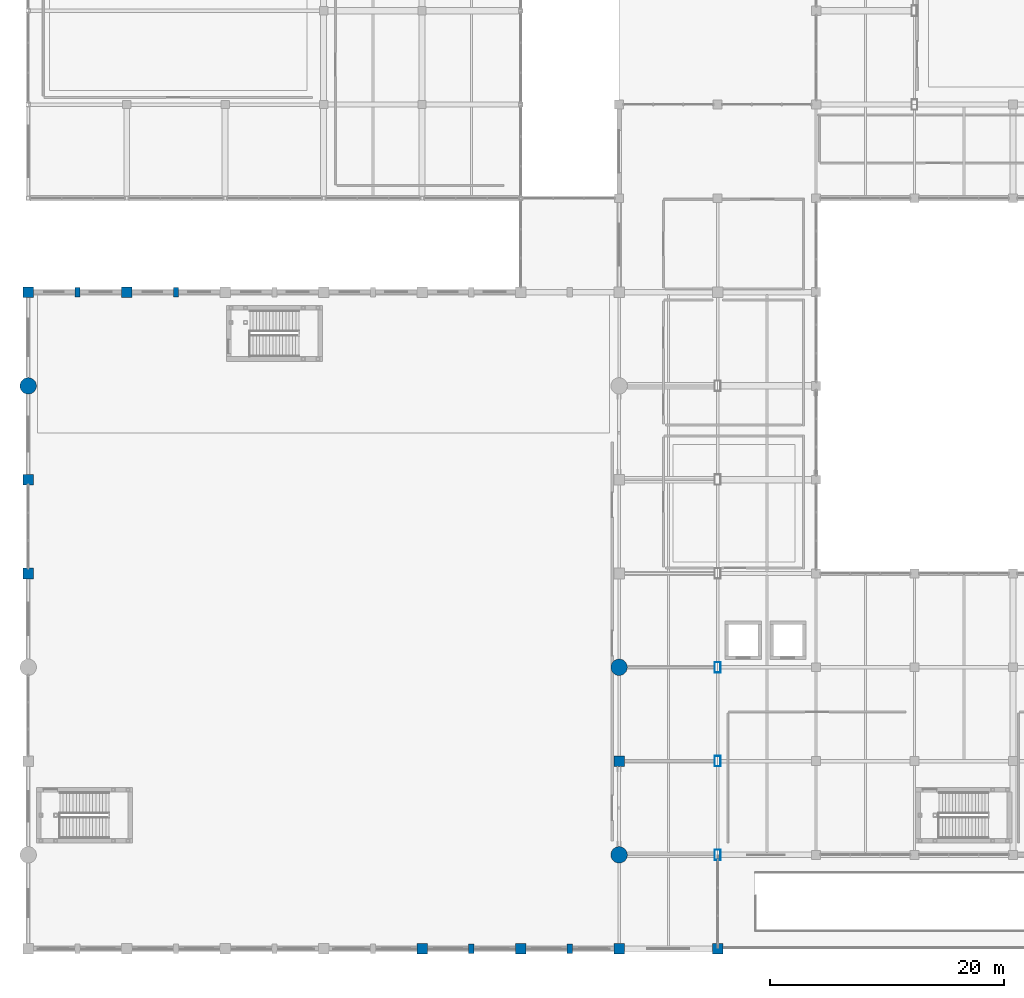
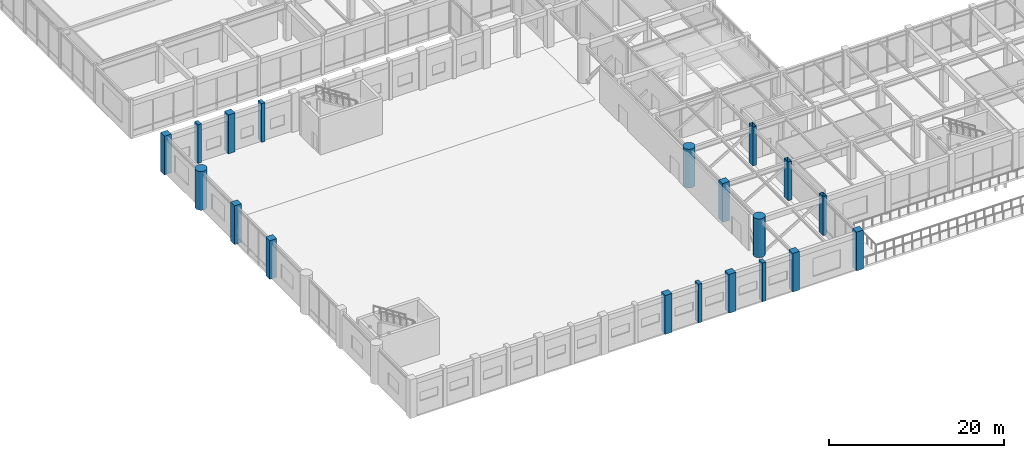
# One storey, part 2 of 79: 19 columns.
"""IFC4 building model written with IfcOpenShell, lengths in metres."""

import ifcopenshell
import ifcopenshell.guid

model = None  # the IFC model being written
_history = None  # IfcOwnerHistory: only IFC2X3 demands one
_inside = {}  # id of a spatial element -> (the spatial element, [elements in it])
_under = {}  # id of a project, library or spatial element -> (it, [spatial elements below it])
_declared = {}  # id of a project -> (the project, [libraries it declares])
_typed = {}  # id of a type object -> (the type object, [elements of that type])
_made_of = {}  # id of a material, layer set ... -> (it, [elements and type objects made of it])


def new_model(schema):
    """Start an empty IFC model of exactly this schema.

    Asked for "IFC4X3", IfcOpenShell would pick the latest addendum, in which some entities
    have other attributes; the version numbers below select the first issue.
    IFC2X3 requires an IfcOwnerHistory on every rooted entity: one is made here for all.
    """
    global model, _history
    if schema == "IFC4X3":
        model = ifcopenshell.file(schema_version=(4, 3, 0, 0))
    else:
        model = ifcopenshell.file(schema=schema)
    _inside.clear()
    _under.clear()
    _declared.clear()
    _typed.clear()
    _made_of.clear()
    _history = None
    if model.schema == "IFC2X3":
        org = make("IfcOrganization", Name="unknown")
        user = make(
            "IfcPersonAndOrganization",
            ThePerson=make("IfcPerson", FamilyName="unknown"),
            TheOrganization=org,
        )
        app = make(
            "IfcApplication",
            ApplicationDeveloper=org,
            Version="unknown",
            ApplicationFullName="unknown",
            ApplicationIdentifier="unknown",
        )
        _history = make(
            "IfcOwnerHistory",
            OwningUser=user,
            OwningApplication=app,
            ChangeAction="ADDED",
            CreationDate=0,
        )
    return model


def make(cls, **values):
    """One entity of the class cls with the attributes given. An attribute that is None is left unset."""
    return model.create_entity(
        cls, **{name: value for name, value in values.items() if value is not None}
    )


def rooted(cls, **values):
    """An entity with a GlobalId (a new one), such as an element, a storey or a relation."""
    return make(cls, GlobalId=ifcopenshell.guid.new(), OwnerHistory=_history, **values)


def si_unit(unit_type, name, prefix=None):
    """IfcSIUnit, for example si_unit("LENGTHUNIT", "METRE", prefix="MILLI")."""
    return make("IfcSIUnit", UnitType=unit_type, Prefix=prefix, Name=name)


def assignment(units):
    """IfcUnitAssignment: the units of a project."""
    return None if units is None else make("IfcUnitAssignment", Units=units)


def point(xyz):
    """IfcCartesianPoint."""
    return None if xyz is None else make("IfcCartesianPoint", Coordinates=xyz)


def direction(xyz):
    """IfcDirection."""
    return None if xyz is None else make("IfcDirection", DirectionRatios=xyz)


def frame(location, z_axis=None, x_axis=None):
    """IfcAxis2Placement3D, a coordinate frame: its origin and axes. An axis left out is left unset."""
    return make(
        "IfcAxis2Placement3D",
        Location=point(location),
        Axis=direction(z_axis),
        RefDirection=direction(x_axis),
    )


def frame_2d(location, x_axis=None):
    """IfcAxis2Placement2D, a coordinate frame in the plane: its origin and x axis."""
    return make(
        "IfcAxis2Placement2D", Location=point(location), RefDirection=direction(x_axis)
    )


def origin():
    """The frame at (0, 0, 0) with its axes left unset."""
    return frame((0.0, 0.0, 0.0))


def origin_2d():
    """The frame at (0, 0) in the plane with its x axis left unset."""
    return frame_2d((0.0, 0.0))


def place(relative_to, where):
    """IfcLocalPlacement: puts the frame where relative to a parent placement (None: the world)."""
    return make(
        "IfcLocalPlacement", PlacementRelTo=relative_to, RelativePlacement=where
    )


def context(
    kind, dimensions, precision=None, world=None, true_north=None, identifier=None
):
    """IfcGeometricRepresentationContext, for example the 3D "Model" context."""
    return make(
        "IfcGeometricRepresentationContext",
        ContextIdentifier=identifier,
        ContextType=kind,
        CoordinateSpaceDimension=dimensions,
        Precision=precision,
        WorldCoordinateSystem=world,
        TrueNorth=true_north,
    )


def subcontext(parent, identifier, kind, view, scale=None):
    """IfcGeometricRepresentationSubContext, for example "Body" below "Model"."""
    return make(
        "IfcGeometricRepresentationSubContext",
        ContextIdentifier=identifier,
        ContextType=kind,
        ParentContext=parent,
        TargetScale=scale,
        TargetView=view,
    )


def project(units=None, contexts=None):
    """IfcProject with its units and contexts."""
    return rooted(
        "IfcProject",
        Name="project",
        RepresentationContexts=contexts,
        UnitsInContext=assignment(units),
    )


def spatial(cls, under=None, at=None, **own):
    """A site, building, storey or space (cls), placed at a placement, below another one or the project."""
    s = rooted(cls, ObjectPlacement=at, **own)
    if under is not None:
        _under.setdefault(under.id(), (under, []))[1].append(s)
    return s


def profile(cls, at=None, kind="AREA", **sizes):
    """A parametric profile (cls). Its sizes go by their IFC names, for example OverallWidth=200.0."""
    return make(cls, ProfileType=kind, Position=at, **sizes)


def rectangle(**sizes):
    """IfcRectangleProfileDef."""
    return profile("IfcRectangleProfileDef", **sizes)


def hollow_rectangle(**sizes):
    """IfcRectangleHollowProfileDef."""
    return profile("IfcRectangleHollowProfileDef", **sizes)


def circle(**sizes):
    """IfcCircleProfileDef."""
    return profile("IfcCircleProfileDef", **sizes)


def extrude(swept, where, along, depth):
    """IfcExtrudedAreaSolid: the profile swept, set in the frame where, extruded along a direction by depth."""
    return make(
        "IfcExtrudedAreaSolid",
        SweptArea=swept,
        Position=where,
        ExtrudedDirection=direction(along),
        Depth=depth,
    )


def shape(context_of_items, identifier, shape_type, items):
    """IfcShapeRepresentation: the items that make up one representation, for example the "Body"."""
    return make(
        "IfcShapeRepresentation",
        ContextOfItems=context_of_items,
        RepresentationIdentifier=identifier,
        RepresentationType=shape_type,
        Items=items,
    )


def material(Name=None, Category=None):
    """IfcMaterial."""
    return make("IfcMaterial", Name=Name, Category=Category)


def material_profile(
    of_material, cross_section, Name=None, Category=None, Priority=None
):
    """IfcMaterialProfile: a cross section and its material."""
    return make(
        "IfcMaterialProfile",
        Name=Name,
        Material=of_material,
        Profile=cross_section,
        Priority=Priority,
        Category=Category,
    )


def profile_set(profiles, Name=None, composite=None):
    """IfcMaterialProfileSet."""
    return make(
        "IfcMaterialProfileSet",
        Name=Name,
        MaterialProfiles=profiles,
        CompositeProfile=composite,
    )


def made_of(thing, what):
    """Note that an element or type object is made of a material, layer set ...; save() writes the relation."""
    if what is not None:
        _made_of.setdefault(what.id(), (what, []))[1].append(thing)
    return thing


def type_object(cls, material=None, **own):
    """A type object (cls), such as IfcWallType, which elements share."""
    return made_of(rooted(cls, **own), material)


def element(
    cls,
    number,
    at=None,
    inside=None,
    cuts=None,
    type_object=None,
    material=None,
    context=None,
    identifier="Body",
    shape_type=None,
    held_by="IfcProductDefinitionShape",
    body=None,
    shapes=None,
    **own,
):
    """One element of the class cls, such as IfcWall. Its Tag is "e" and its number.

    at: its placement. inside: the storey or other place that contains it. cuts: it is an
    opening in that element (IfcRelVoidsElement). A single representation is given by context,
    identifier, shape_type and body (its items); several are given by shapes. held_by: the class
    of the entity that holds the representations. save() writes the other relations.
    """
    e = rooted(cls, Tag="e%d" % number, ObjectPlacement=at, **own)
    if body is not None:
        shapes = [shape(context, identifier, shape_type, body)]
    if shapes is not None:
        e.Representation = make(held_by, Representations=shapes)
    if inside is not None:
        _inside.setdefault(inside.id(), (inside, []))[1].append(e)
    if cuts is not None:
        rooted(
            "IfcRelVoidsElement", RelatingBuildingElement=cuts, RelatedOpeningElement=e
        )
    if type_object is not None:
        _typed.setdefault(type_object.id(), (type_object, []))[1].append(e)
    return made_of(e, material)


def aggregate(whole, parts):
    """IfcRelAggregates: a whole, such as a stair, and the parts it consists of."""
    return rooted("IfcRelAggregates", RelatingObject=whole, RelatedObjects=parts)


def save(model, path):
    """Write the relations noted so far, then the file.

    IfcRelAggregates (storeys below a building ...), IfcRelContainedInSpatialStructure (elements
    in a storey), IfcRelDefinesByType, IfcRelAssociatesMaterial and IfcRelDeclares: one each for
    every whole, place, type object, material and project.
    """
    for whole, parts in _under.values():
        aggregate(whole, parts)
    for where, things in _inside.values():
        rooted(
            "IfcRelContainedInSpatialStructure",
            RelatedElements=things,
            RelatingStructure=where,
        )
    for kind, things in _typed.values():
        rooted("IfcRelDefinesByType", RelatedObjects=things, RelatingType=kind)
    for what, things in _made_of.values():
        rooted("IfcRelAssociatesMaterial", RelatedObjects=things, RelatingMaterial=what)
    for by, libraries in _declared.values():
        rooted("IfcRelDeclares", RelatingContext=by, RelatedDefinitions=libraries)
    model.write(path)


model = new_model("IFC4")

# Units and contexts
model_context = context("Model", 3, precision=1e-05, world=origin(), true_north=direction((0.0, 1.0)))
body_context = subcontext(model_context, "Body", "Model", "MODEL_VIEW")
ifc_project = project(units=[si_unit("LENGTHUNIT", "METRE"), si_unit("AREAUNIT", "SQUARE_METRE"), si_unit("VOLUMEUNIT", "CUBIC_METRE"), si_unit("PLANEANGLEUNIT", "RADIAN"), si_unit("MASSUNIT", "GRAM", prefix="KILO")], contexts=[model_context])

# Site, building, storey
site_placement = place(None, origin())
site = spatial("IfcSite", under=ifc_project, at=site_placement, CompositionType="ELEMENT")
building_placement = place(site_placement, origin())
building = spatial("IfcBuilding", under=site, at=building_placement, Name="Naruveol Harbour Congress Hotel", CompositionType="ELEMENT")
storey_placement = place(building_placement, frame((0.0, 0.0, 6.0)))
storey = spatial("IfcBuildingStorey", under=building, at=storey_placement, Name="L01", CompositionType="ELEMENT", Elevation=6.0)

# Columns
ifc_material_1 = material(Name="Concrete C50/60", Category="concrete")
ifc_material_profile_1 = material_profile(ifc_material_1, rectangle(XDim=0.449951171875, YDim=0.800048828125, at=origin_2d()), Name="RC-450x800")
ifc_profile_set_1 = profile_set([ifc_material_profile_1], Name="Concrete C50/60")
column_type_1 = type_object("IfcColumnType", Name="RC ACOUSTIC WALL PILASTER 450X800", PredefinedType="PILASTER", material=ifc_profile_set_1)
for number, where, z_axis, x_axis, name in (
    (1, (4.199951171875, 56.0, 0.0), (0.0, 0.0, 1.0), (1.0, 0.0, 0.0), "Column PL-450 L01 (4.2,56.0)"),
    (2, (12.60009765625, 56.0, 0.0), (0.0, 0.0, 1.0), (1.0, 0.0, 0.0), "Column PL-450 L01 (12.6,56.0)"),
    (3, (37.800048828125, 0.0, 0.0), (0.0, 0.0, 1.0), (1.0, 0.0, 0.0), "Column PL-450 L01 (37.8,0.0)"),
    (4, (46.199951171875, 0.0, 0.0), (0.0, 0.0, 1.0), (1.0, 0.0, 0.0), "Column PL-450 L01 (46.2,0.0)"),
):
    element("IfcColumn", number, at=place(storey_placement, frame(where, z_axis=z_axis, x_axis=x_axis)), inside=storey, type_object=column_type_1, Name=name, PredefinedType="PILASTER", context=body_context, shape_type="SweptSolid", body=[
        extrude(rectangle(XDim=0.449951171875, YDim=0.800048828125, at=origin_2d()), origin(), (0.0, 0.0, 1.0), 5.39990234375),
    ])
ifc_material_2 = material(Name="Concrete C50/60", Category="concrete")
ifc_material_profile_2 = material_profile(ifc_material_2, circle(Radius=0.699951171875, at=origin_2d()), Name="RC-D1400")
ifc_profile_set_2 = profile_set([ifc_material_profile_2], Name="Concrete C50/60")
column_type_2 = type_object("IfcColumnType", Name="RC MEGA COLUMN D1400", PredefinedType="COLUMN", material=ifc_profile_set_2)
for number, where, z_axis, x_axis, name in (
    (5, (0.0, 48.0, 0.0), (0.0, 0.0, 1.0), (1.0, 0.0, 0.0), "Column C-MD1400 L01 (0.0,48.0)"),
    (6, (50.39990234375, 8.0, 0.0), (0.0, 0.0, 1.0), (1.0, 0.0, 0.0), "Column C-MD1400 L01 (50.4,8.0)"),
    (7, (50.39990234375, 24.0, 0.0), (0.0, 0.0, 1.0), (1.0, 0.0, 0.0), "Column C-MD1400 L01 (50.4,24.0)"),
):
    element("IfcColumn", number, at=place(storey_placement, frame(where, z_axis=z_axis, x_axis=x_axis)), inside=storey, type_object=column_type_2, Name=name, PredefinedType="COLUMN", context=body_context, shape_type="SweptSolid", body=[
        extrude(circle(Radius=0.699951171875, at=origin_2d()), origin(), (0.0, 0.0, 1.0), 5.39990234375),
    ])
ifc_material_3 = material(Name="Concrete C50/60", Category="concrete")
ifc_material_profile_3 = material_profile(ifc_material_3, rectangle(XDim=0.89990234375, YDim=0.89990234375, at=origin_2d()), Name="RC-900x900")
ifc_profile_set_3 = profile_set([ifc_material_profile_3], Name="Concrete C50/60")
column_type_3 = type_object("IfcColumnType", Name="RC PRIMARY COLUMN 900X900", PredefinedType="COLUMN", material=ifc_profile_set_3)
for number, where, z_axis, x_axis, name in (
    (8, (0.0, 32.0, 0.0), (0.0, 0.0, 1.0), (1.0, 0.0, 0.0), "Column C-900 L01 (0.0,32.0)"),
    (9, (0.0, 40.0, 0.0), (0.0, 0.0, 1.0), (1.0, 0.0, 0.0), "Column C-900 L01 (0.0,40.0)"),
    (10, (0.0, 56.0, 0.0), (0.0, 0.0, 1.0), (1.0, 0.0, 0.0), "Column C-900 L01 (0.0,56.0)"),
    (11, (8.39990234375, 56.0, 0.0), (0.0, 0.0, 1.0), (1.0, 0.0, 0.0), "Column C-900 L01 (8.4,56.0)"),
    (12, (33.60009765625, 0.0, 0.0), (0.0, 0.0, 1.0), (1.0, 0.0, 0.0), "Column C-900 L01 (33.6,0.0)"),
    (13, (42.0, 0.0, 0.0), (0.0, 0.0, 1.0), (1.0, 0.0, 0.0), "Column C-900 L01 (42.0,0.0)"),
    (14, (50.39990234375, 0.0, 0.0), (0.0, 0.0, 1.0), (1.0, 0.0, 0.0), "Column C-900 L01 (50.4,0.0)"),
    (15, (50.39990234375, 16.0, 0.0), (0.0, 0.0, 1.0), (1.0, 0.0, 0.0), "Column C-900 L01 (50.4,16.0)"),
    (16, (58.800048828125, 0.0, 0.0), (0.0, 0.0, 1.0), (1.0, 0.0, 0.0), "Column C-900 L01 (58.8,0.0)"),
):
    element("IfcColumn", number, at=place(storey_placement, frame(where, z_axis=z_axis, x_axis=x_axis)), inside=storey, type_object=column_type_3, Name=name, PredefinedType="COLUMN", context=body_context, shape_type="SweptSolid", body=[
        extrude(rectangle(XDim=0.89990234375, YDim=0.89990234375, at=origin_2d()), origin(), (0.0, 0.0, 1.0), 5.39990234375),
    ])
ifc_material_4 = material(Name="Steel SN490", Category="steel")
ifc_material_profile_4 = material_profile(ifc_material_4, hollow_rectangle(XDim=0.5, YDim=0.89990234375, WallThickness=0.02392578125, at=origin_2d()), Name="RHS-900x500x24")
ifc_profile_set_4 = profile_set([ifc_material_profile_4], Name="Steel SN490")
column_type_4 = type_object("IfcColumnType", Name="STEEL HALL COLUMN H900X300", PredefinedType="COLUMN", material=ifc_profile_set_4)
for number, where, z_axis, x_axis, name in (
    (17, (58.800048828125, 8.0, 0.0), (0.0, 0.0, 1.0), (1.0, 0.0, 0.0), "Column SC-H900 L01 (58.8,8.0)"),
    (18, (58.800048828125, 16.0, 0.0), (0.0, 0.0, 1.0), (1.0, 0.0, 0.0), "Column SC-H900 L01 (58.8,16.0)"),
    (19, (58.800048828125, 24.0, 0.0), (0.0, 0.0, 1.0), (1.0, 0.0, 0.0), "Column SC-H900 L01 (58.8,24.0)"),
):
    element("IfcColumn", number, at=place(storey_placement, frame(where, z_axis=z_axis, x_axis=x_axis)), inside=storey, type_object=column_type_4, Name=name, PredefinedType="COLUMN", context=body_context, shape_type="SweptSolid", body=[
        extrude(hollow_rectangle(XDim=0.5, YDim=0.89990234375, WallThickness=0.02392578125, at=origin_2d()), origin(), (0.0, 0.0, 1.0), 5.39990234375),
    ])

save(model, "model.ifc")
